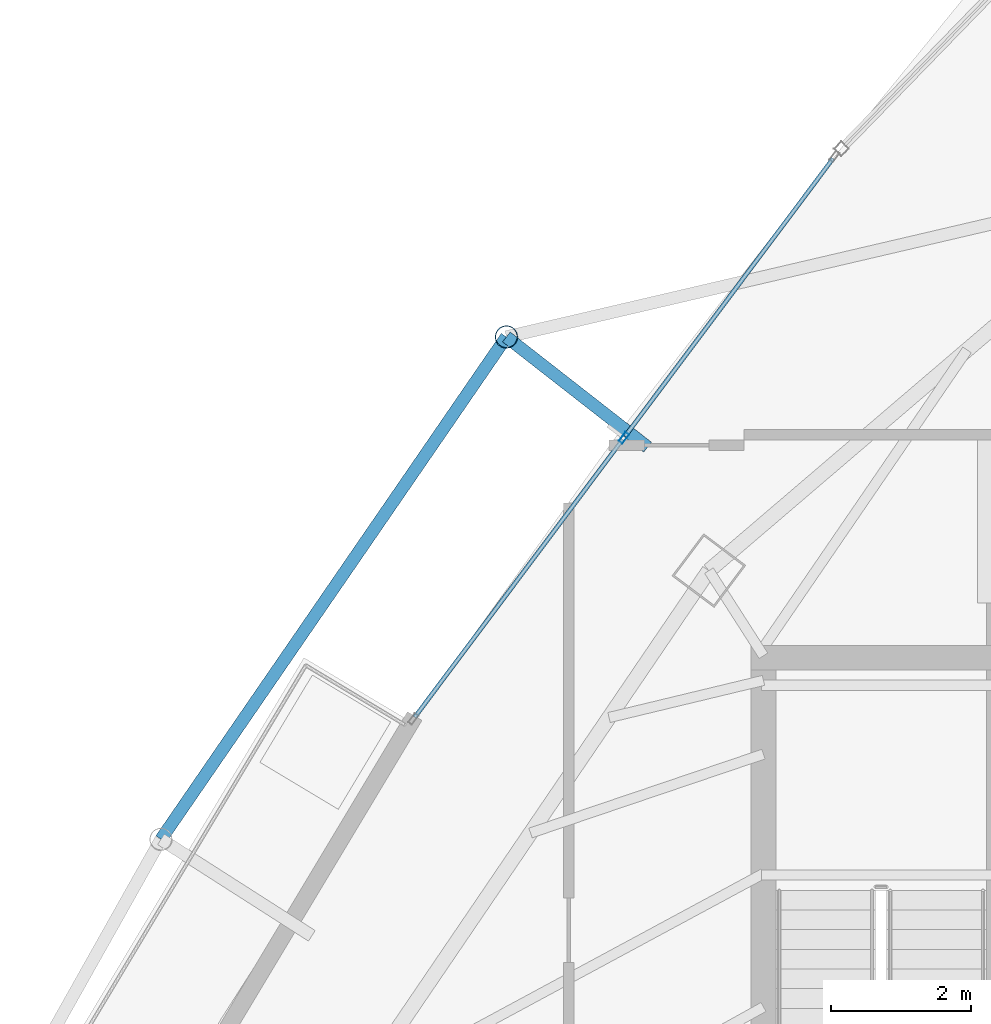
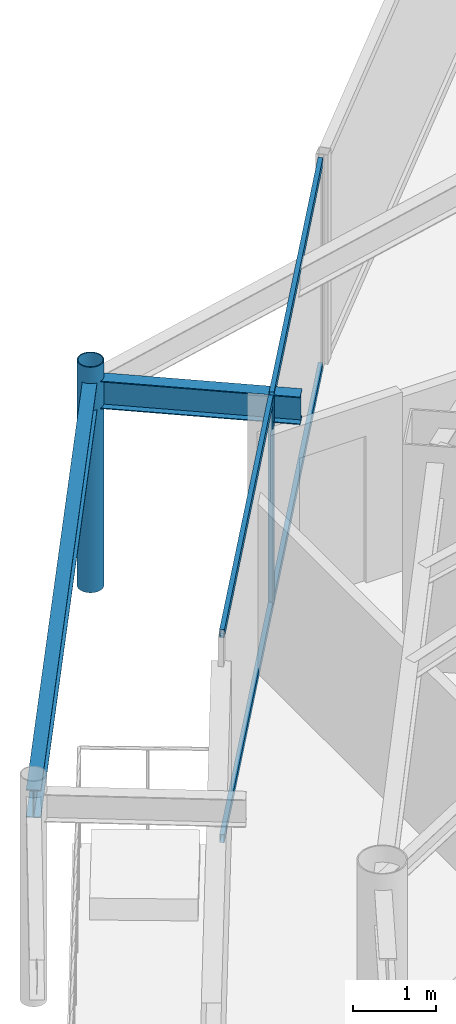
# One storey, part 21 of 32: 6 members, 2 beams, 1 element without a shape of its own.
"""IFC4 building model written with IfcOpenShell, lengths in metres."""

from ifc_helpers import new_model, si_unit, direction, frame, origin, origin_2d, place, context, subcontext, project, spatial, hollow_rectangle, hollow_circle, i_section, extrude, material, layer, layer_set, material_profile, profile_set, type_object, element, aggregate, save


model = new_model("IFC4")

# Units and contexts
model_context = context("Model", 3, precision=1e-05, world=origin(), true_north=direction((0.0, 1.0)))
body_context = subcontext(model_context, "Body", "Model", "MODEL_VIEW")
ifc_project = project(units=[si_unit("LENGTHUNIT", "METRE"), si_unit("AREAUNIT", "SQUARE_METRE"), si_unit("VOLUMEUNIT", "CUBIC_METRE"), si_unit("PLANEANGLEUNIT", "RADIAN"), si_unit("MASSUNIT", "GRAM", prefix="KILO")], contexts=[model_context])

# Site, building, storey
site_placement = place(None, origin())
site = spatial("IfcSite", under=ifc_project, at=site_placement, CompositionType="ELEMENT")
building_placement = place(site_placement, origin())
building = spatial("IfcBuilding", under=site, at=building_placement, Name="Orvanel Arch Residences", CompositionType="ELEMENT")
storey_placement = place(building_placement, frame((0.0, 0.0, 216.199951171875)))
storey = spatial("IfcBuildingStorey", under=building, at=storey_placement, Name="L61", CompositionType="ELEMENT", Elevation=216.199951171875)

# Curtain wall, member
ifc_material_1 = material(Name="Bronze-anodised aluminium AA6063-T6", Category="aluminium")
ifc_layer = layer(ifc_material_1, 0.175048828125)
ifc_layer_set = layer_set([ifc_layer], Name="Bronze-anodised aluminium AA6063-T6")
curtain_wall_type = type_object("IfcCurtainWallType", Name="CW4-HI-SYS", PredefinedType="NOTDEFINED", material=ifc_layer_set)
curtain_wall_placement = place(storey_placement, origin())
curtain_wall = element("IfcCurtainWall", 1, at=curtain_wall_placement, inside=storey, type_object=curtain_wall_type, Name="L61 CW4-HI-SYS Unitised Curtain Wall", PredefinedType="NOTDEFINED")
ifc_material_profile_1 = material_profile(ifc_material_1, hollow_rectangle(XDim=0.06494140625, YDim=0.159912109375, WallThickness=0.00390625, at=origin_2d()), Name="ALU160x65x4")
ifc_profile_set_1 = profile_set([ifc_material_profile_1], Name="Bronze-anodised aluminium AA6063-T6")
member_type_1 = type_object("IfcMemberType", Name="MUL-160x65", PredefinedType="MULLION", material=ifc_profile_set_1)
member_1_placement = place(storey_placement, frame((24.4375, 37.00390625, 0.0), z_axis=(0.0, 0.0, 1.0), x_axis=(0.800476458044, -0.599364196559, 0.0)))
member_1 = element("IfcMember", 2, at=member_1_placement, type_object=member_type_1, Name="CW-S4 mullion 2", PredefinedType="MULLION", context=body_context, shape_type="SweptSolid", body=[
    extrude(hollow_rectangle(XDim=0.06494140625, YDim=0.159912109375, WallThickness=0.00390625, at=origin_2d()), origin(), (0.0, 0.0, 1.0), 3.06005859375),
])

# Beams
ifc_material_2 = material(Name="Structural steel AS/NZS 3679.1 Grade 300 (300 MPa)", Category="steel")
ifc_material_profile_2 = material_profile(ifc_material_2, i_section(OverallWidth=0.177978515625, OverallDepth=0.406005859375, WebThickness=0.0078125, FlangeThickness=0.0126953125, at=origin_2d()), Name="410UB59.7")
ifc_profile_set_2 = profile_set([ifc_material_profile_2], Name="Structural steel AS/NZS 3679.1 Grade 300 (300 MPa)")
beam_type = type_object("IfcBeamType", Name="OB-410UB-EXT", PredefinedType="SPANDREL", material=ifc_profile_set_2)
beam_1_placement = place(storey_placement, frame((24.77490234375, 36.87109375, 2.85693359375), z_axis=(-0.788304456256, 0.61528536814, 0.0), x_axis=(-0.61528536814, -0.788304456256, 0.0)))
element("IfcBeam", 3, at=beam_1_placement, inside=storey, type_object=beam_type, Name="L61 Outer Frame Radial Tie Beam 01", PredefinedType="SPANDREL", context=body_context, shape_type="SweptSolid", body=[
    extrude(i_section(OverallWidth=0.177978515625, OverallDepth=0.406005859375, WebThickness=0.0078125, FlangeThickness=0.0126953125, at=origin_2d()), origin(), (0.0, 0.0, 1.0), 2.5498046875),
])
beam_2_placement = place(storey_placement, frame((22.764892578125, 38.43994140625, 2.85693359375), z_axis=(-0.566636240151, -0.823968064519, 0.0), x_axis=(0.823968064519, -0.566636240151, 0.0)))
element("IfcBeam", 4, at=beam_2_placement, inside=storey, type_object=beam_type, Name="L61 Outer Perimeter Floor Ring Beam 01", PredefinedType="SPANDREL", context=body_context, shape_type="SweptSolid", body=[
    extrude(i_section(OverallWidth=0.177978515625, OverallDepth=0.406005859375, WebThickness=0.0078125, FlangeThickness=0.0126953125, at=origin_2d()), origin(), (0.0, 0.0, 1.0), 8.680908203125),
])

# Member
ifc_material_3 = material(Name="Structural steel AS/NZS 1163 C350L0 (Grade 350)", Category="steel")
ifc_material_profile_3 = material_profile(ifc_material_3, hollow_circle(Radius=0.162109375, WallThickness=0.0126953125, at=origin_2d()), Name="CHS324x12.7")
ifc_profile_set_3 = profile_set([ifc_material_profile_3], Name="Structural steel AS/NZS 1163 C350L0 (Grade 350)")
member_type_2 = type_object("IfcMemberType", Name="ST-324CHS-EXT", PredefinedType="STRUT", material=ifc_profile_set_3)
member_2_placement = place(storey_placement, frame((22.764892578125, 38.43994140625, 0.0), z_axis=(0.0, 0.0, 1.0), x_axis=(1.0, 0.0, 0.0)))
element("IfcMember", 5, at=member_2_placement, inside=storey, type_object=member_type_2, Name="L61 Outer Perimeter Frame Post 01", PredefinedType="STRUT", context=body_context, shape_type="SweptSolid", body=[
    extrude(hollow_circle(Radius=0.162109375, WallThickness=0.0126953125, at=origin_2d()), origin(), (0.0, 0.0, 1.0), 3.300048828125),
])

ifc_material_profile_4 = material_profile(ifc_material_1, hollow_rectangle(XDim=0.06005859375, YDim=0.1201171875, WallThickness=0.00341796875, at=origin_2d()), Name="ALU120x60x3.5")
ifc_profile_set_4 = profile_set([ifc_material_profile_4], Name="Bronze-anodised aluminium AA6063-T6")
member_type_3 = type_object("IfcMemberType", Name="TRN-120x60", PredefinedType="USERDEFINED", material=ifc_profile_set_4)
member_3_placement = place(storey_placement, frame((27.416015625, 40.98193359375, 0.030029296875), z_axis=(-0.599358908825, -0.800480417257, 0.0), x_axis=(0.800480417257, -0.599358908825, 0.0)))
member_3 = element("IfcMember", 6, at=member_3_placement, type_object=member_type_3, Name="CW-S4 transom 1.1", ObjectType="TRANSOM", PredefinedType="USERDEFINED", context=body_context, shape_type="SweptSolid", body=[
    extrude(hollow_rectangle(XDim=0.06005859375, YDim=0.1201171875, WallThickness=0.00341796875, at=origin_2d()), origin(), (0.0, 0.0, 1.0), 4.93701171875),
])

member_4_placement = place(storey_placement, frame((27.416015625, 40.98193359375, 3.030029296875), z_axis=(-0.599358908825, -0.800480417257, 0.0), x_axis=(0.800480417257, -0.599358908825, 0.0)))
member_4 = element("IfcMember", 7, at=member_4_placement, type_object=member_type_3, Name="CW-S4 transom 1.2", ObjectType="TRANSOM", PredefinedType="USERDEFINED", context=body_context, shape_type="SweptSolid", body=[
    extrude(hollow_rectangle(XDim=0.06005859375, YDim=0.1201171875, WallThickness=0.00341796875, at=origin_2d()), origin(), (0.0, 0.0, 1.0), 4.93701171875),
])

member_5_placement = place(storey_placement, frame((24.41796875, 36.97802734375, 0.030029296875), z_axis=(-0.599358908825, -0.800480417257, 0.0), x_axis=(0.800480417257, -0.599358908825, 0.0)))
member_5 = element("IfcMember", 8, at=member_5_placement, type_object=member_type_3, Name="CW-S4 transom 2.1", ObjectType="TRANSOM", PredefinedType="USERDEFINED", context=body_context, shape_type="SweptSolid", body=[
    extrude(hollow_rectangle(XDim=0.06005859375, YDim=0.1201171875, WallThickness=0.00341796875, at=origin_2d()), origin(), (0.0, 0.0, 1.0), 4.93701171875),
])

member_6_placement = place(storey_placement, frame((24.41796875, 36.97802734375, 3.030029296875), z_axis=(-0.599358908825, -0.800480417257, 0.0), x_axis=(0.800480417257, -0.599358908825, 0.0)))
member_6 = element("IfcMember", 9, at=member_6_placement, type_object=member_type_3, Name="CW-S4 transom 2.2", ObjectType="TRANSOM", PredefinedType="USERDEFINED", context=body_context, shape_type="SweptSolid", body=[
    extrude(hollow_rectangle(XDim=0.06005859375, YDim=0.1201171875, WallThickness=0.00341796875, at=origin_2d()), origin(), (0.0, 0.0, 1.0), 4.93701171875),
])

aggregate(curtain_wall, [member_1, member_3, member_4, member_5, member_6])

save(model, "model.ifc")
